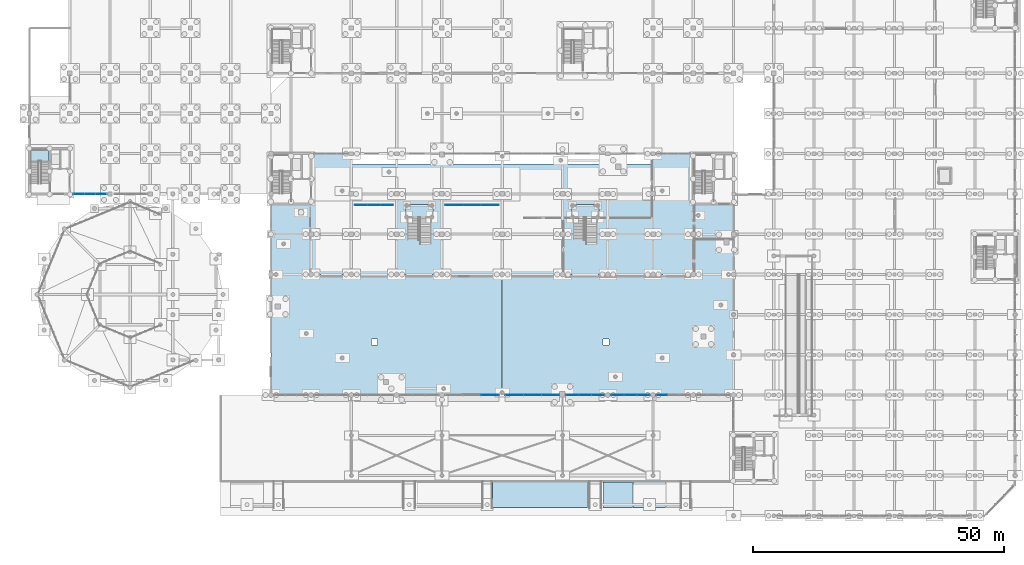
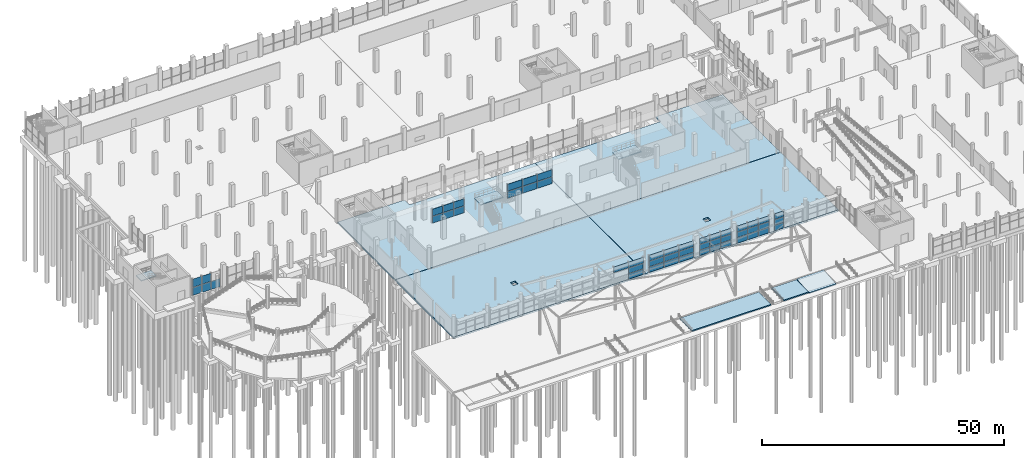
# One storey, part 65 of 98: 51 plates, 10 slabs, 11 elements without a shape of their own.
"""IFC4 building model written with IfcOpenShell, lengths in metres."""

from ifc_helpers import new_model, si_unit, derived_unit, direction, frame, origin, origin_2d, place, context, subcontext, project, spatial, polyline, rectangle, outline, extrude, material, layer, layer_set, type_object, element, aggregate, save


model = new_model("IFC4")

# Units and contexts
model_context = context("Model", 3, precision=1e-05, world=origin(), true_north=direction((0.0, 1.0)))
body_context = subcontext(model_context, "Body", "Model", "MODEL_VIEW")
ifc_project = project(units=[si_unit("LENGTHUNIT", "METRE"), si_unit("AREAUNIT", "SQUARE_METRE"), si_unit("VOLUMEUNIT", "CUBIC_METRE"), si_unit("PLANEANGLEUNIT", "RADIAN"), si_unit("MASSUNIT", "GRAM", prefix="KILO"), si_unit("THERMODYNAMICTEMPERATUREUNIT", "KELVIN"), derived_unit("THERMALTRANSMITTANCEUNIT", [(si_unit("POWERUNIT", "WATT"), 1), (si_unit("AREAUNIT", "SQUARE_METRE"), -1), (si_unit("THERMODYNAMICTEMPERATUREUNIT", "KELVIN"), -1)])], contexts=[model_context])

# Site, building, storey
site_placement = place(None, origin())
site = spatial("IfcSite", under=ifc_project, at=site_placement, CompositionType="ELEMENT")
building_placement = place(site_placement, origin())
building = spatial("IfcBuilding", under=site, at=building_placement, Name="Haiyu Intermodal Mobility Hub", CompositionType="ELEMENT")
storey_placement = place(building_placement, origin())
storey = spatial("IfcBuildingStorey", under=building, at=storey_placement, Name="L00", CompositionType="ELEMENT", Elevation=0.0)

# Curtain wall, plates
ifc_material_1 = material(Name="Low-e laminated insulating glass", Category="glass")
ifc_layer_1 = layer(ifc_material_1, 0.219970703125)
ifc_layer_set_1 = layer_set([ifc_layer_1], Name="Low-e laminated insulating glass")
curtain_wall_type_1 = type_object("IfcCurtainWallType", Name="CW-CW01", PredefinedType="NOTDEFINED", material=ifc_layer_set_1)
curtain_wall_1_placement = place(storey_placement, origin())
curtain_wall_1 = element("IfcCurtainWall", 1, at=curtain_wall_1_placement, inside=storey, type_object=curtain_wall_type_1, Name="Curtain Wall CW-V1S-L00-009", PredefinedType="NOTDEFINED")
ifc_layer_2 = layer(ifc_material_1, 0.035888671875)
ifc_layer_set_2 = layer_set([ifc_layer_2], Name="Low-e laminated insulating glass")
plate_type_1 = type_object("IfcPlateType", Name="PLT-CP01", PredefinedType="CURTAIN_PANEL", material=ifc_layer_set_2)
plate_1_placement = place(storey_placement, frame((105.56005859375, 40.0, 0.03515625), z_axis=(0.0, 0.0, 1.0), x_axis=(1.0, 0.0, 0.0)))
plate_1 = element("IfcPlate", 2, at=plate_1_placement, type_object=plate_type_1, Name="CW-V1S-L00-009-PN07", PredefinedType="CURTAIN_PANEL", context=body_context, shape_type="SweptSolid", body=[
    extrude(rectangle(XDim=3.469970703125, YDim=0.035888671875, at=origin_2d()), origin(), (0.0, 0.0, 1.0), 1.3798828125),
])
plate_2_placement = place(storey_placement, frame((105.56005859375, 40.0, 1.485107421875), z_axis=(0.0, 0.0, 1.0), x_axis=(1.0, 0.0, 0.0)))
plate_2 = element("IfcPlate", 3, at=plate_2_placement, type_object=plate_type_1, Name="CW-V1S-L00-009-PN08", PredefinedType="CURTAIN_PANEL", context=body_context, shape_type="SweptSolid", body=[
    extrude(rectangle(XDim=3.469970703125, YDim=0.035888671875, at=origin_2d()), origin(), (0.0, 0.0, 1.0), 1.3798828125),
])

curtain_wall_2_placement = place(storey_placement, origin())
curtain_wall_2 = element("IfcCurtainWall", 4, at=curtain_wall_2_placement, inside=storey, type_object=curtain_wall_type_1, Name="Curtain Wall CW-V1S-L00-011", PredefinedType="NOTDEFINED")
plate_3_placement = place(storey_placement, frame((110.43994140625, 40.0, 0.03515625), z_axis=(0.0, 0.0, 1.0), x_axis=(1.0, 0.0, 0.0)))
plate_3 = element("IfcPlate", 5, at=plate_3_placement, type_object=plate_type_1, Name="CW-V1S-L00-011-PN01", PredefinedType="CURTAIN_PANEL", context=body_context, shape_type="SweptSolid", body=[
    extrude(rectangle(XDim=3.469970703125, YDim=0.035888671875, at=origin_2d()), origin(), (0.0, 0.0, 1.0), 1.3798828125),
])
plate_4_placement = place(storey_placement, frame((110.43994140625, 40.0, 1.485107421875), z_axis=(0.0, 0.0, 1.0), x_axis=(1.0, 0.0, 0.0)))
plate_4 = element("IfcPlate", 6, at=plate_4_placement, type_object=plate_type_1, Name="CW-V1S-L00-011-PN02", PredefinedType="CURTAIN_PANEL", context=body_context, shape_type="SweptSolid", body=[
    extrude(rectangle(XDim=3.469970703125, YDim=0.035888671875, at=origin_2d()), origin(), (0.0, 0.0, 1.0), 1.3798828125),
])
plate_5_placement = place(storey_placement, frame((114.0, 40.0, 0.03515625), z_axis=(0.0, 0.0, 1.0), x_axis=(1.0, 0.0, 0.0)))
plate_5 = element("IfcPlate", 7, at=plate_5_placement, type_object=plate_type_1, Name="CW-V1S-L00-011-PN04", PredefinedType="CURTAIN_PANEL", context=body_context, shape_type="SweptSolid", body=[
    extrude(rectangle(XDim=3.469970703125, YDim=0.035888671875, at=origin_2d()), origin(), (0.0, 0.0, 1.0), 1.3798828125),
])
plate_6_placement = place(storey_placement, frame((114.0, 40.0, 1.485107421875), z_axis=(0.0, 0.0, 1.0), x_axis=(1.0, 0.0, 0.0)))
plate_6 = element("IfcPlate", 8, at=plate_6_placement, type_object=plate_type_1, Name="CW-V1S-L00-011-PN05", PredefinedType="CURTAIN_PANEL", context=body_context, shape_type="SweptSolid", body=[
    extrude(rectangle(XDim=3.469970703125, YDim=0.035888671875, at=origin_2d()), origin(), (0.0, 0.0, 1.0), 1.3798828125),
])
plate_7_placement = place(storey_placement, frame((117.56005859375, 40.0, 0.03515625), z_axis=(0.0, 0.0, 1.0), x_axis=(1.0, 0.0, 0.0)))
plate_7 = element("IfcPlate", 9, at=plate_7_placement, type_object=plate_type_1, Name="CW-V1S-L00-011-PN07", PredefinedType="CURTAIN_PANEL", context=body_context, shape_type="SweptSolid", body=[
    extrude(rectangle(XDim=3.469970703125, YDim=0.035888671875, at=origin_2d()), origin(), (0.0, 0.0, 1.0), 1.3798828125),
])
plate_8_placement = place(storey_placement, frame((117.56005859375, 40.0, 1.485107421875), z_axis=(0.0, 0.0, 1.0), x_axis=(1.0, 0.0, 0.0)))
plate_8 = element("IfcPlate", 10, at=plate_8_placement, type_object=plate_type_1, Name="CW-V1S-L00-011-PN08", PredefinedType="CURTAIN_PANEL", context=body_context, shape_type="SweptSolid", body=[
    extrude(rectangle(XDim=3.469970703125, YDim=0.035888671875, at=origin_2d()), origin(), (0.0, 0.0, 1.0), 1.3798828125),
])

curtain_wall_3_placement = place(storey_placement, origin())
curtain_wall_3 = element("IfcCurtainWall", 11, at=curtain_wall_3_placement, inside=storey, type_object=curtain_wall_type_1, Name="Curtain Wall CW-V1S-L00-013", PredefinedType="NOTDEFINED")
plate_9_placement = place(storey_placement, frame((121.93994140625, 40.0, 0.03515625), z_axis=(0.0, 0.0, 1.0), x_axis=(1.0, 0.0, 0.0)))
plate_9 = element("IfcPlate", 12, at=plate_9_placement, type_object=plate_type_1, Name="CW-V1S-L00-013-PN01", PredefinedType="CURTAIN_PANEL", context=body_context, shape_type="SweptSolid", body=[
    extrude(rectangle(XDim=2.469970703125, YDim=0.035888671875, at=origin_2d()), origin(), (0.0, 0.0, 1.0), 1.3798828125),
])
plate_10_placement = place(storey_placement, frame((121.93994140625, 40.0, 1.485107421875), z_axis=(0.0, 0.0, 1.0), x_axis=(1.0, 0.0, 0.0)))
plate_10 = element("IfcPlate", 13, at=plate_10_placement, type_object=plate_type_1, Name="CW-V1S-L00-013-PN02", PredefinedType="CURTAIN_PANEL", context=body_context, shape_type="SweptSolid", body=[
    extrude(rectangle(XDim=2.469970703125, YDim=0.035888671875, at=origin_2d()), origin(), (0.0, 0.0, 1.0), 1.3798828125),
])
plate_11_placement = place(storey_placement, frame((124.5, 40.0, 0.03515625), z_axis=(0.0, 0.0, 1.0), x_axis=(1.0, 0.0, 0.0)))
plate_11 = element("IfcPlate", 14, at=plate_11_placement, type_object=plate_type_1, Name="CW-V1S-L00-013-PN04", PredefinedType="CURTAIN_PANEL", context=body_context, shape_type="SweptSolid", body=[
    extrude(rectangle(XDim=2.469970703125, YDim=0.035888671875, at=origin_2d()), origin(), (0.0, 0.0, 1.0), 1.3798828125),
])
plate_12_placement = place(storey_placement, frame((124.5, 40.0, 1.485107421875), z_axis=(0.0, 0.0, 1.0), x_axis=(1.0, 0.0, 0.0)))
plate_12 = element("IfcPlate", 15, at=plate_12_placement, type_object=plate_type_1, Name="CW-V1S-L00-013-PN05", PredefinedType="CURTAIN_PANEL", context=body_context, shape_type="SweptSolid", body=[
    extrude(rectangle(XDim=2.469970703125, YDim=0.035888671875, at=origin_2d()), origin(), (0.0, 0.0, 1.0), 1.3798828125),
])
plate_13_placement = place(storey_placement, frame((127.06005859375, 40.0, 0.03515625), z_axis=(0.0, 0.0, 1.0), x_axis=(1.0, 0.0, 0.0)))
plate_13 = element("IfcPlate", 16, at=plate_13_placement, type_object=plate_type_1, Name="CW-V1S-L00-013-PN07", PredefinedType="CURTAIN_PANEL", context=body_context, shape_type="SweptSolid", body=[
    extrude(rectangle(XDim=2.469970703125, YDim=0.035888671875, at=origin_2d()), origin(), (0.0, 0.0, 1.0), 1.3798828125),
])
plate_14_placement = place(storey_placement, frame((127.06005859375, 40.0, 1.485107421875), z_axis=(0.0, 0.0, 1.0), x_axis=(1.0, 0.0, 0.0)))
plate_14 = element("IfcPlate", 17, at=plate_14_placement, type_object=plate_type_1, Name="CW-V1S-L00-013-PN08", PredefinedType="CURTAIN_PANEL", context=body_context, shape_type="SweptSolid", body=[
    extrude(rectangle(XDim=2.469970703125, YDim=0.035888671875, at=origin_2d()), origin(), (0.0, 0.0, 1.0), 1.3798828125),
])

curtain_wall_4_placement = place(storey_placement, origin())
curtain_wall_4 = element("IfcCurtainWall", 18, at=curtain_wall_4_placement, inside=storey, type_object=curtain_wall_type_1, Name="Curtain Wall CW-V1S-L00-015", PredefinedType="NOTDEFINED")
plate_15_placement = place(storey_placement, frame((130.93994140625, 40.0, 0.03515625), z_axis=(0.0, 0.0, 1.0), x_axis=(1.0, 0.0, 0.0)))
plate_15 = element("IfcPlate", 19, at=plate_15_placement, type_object=plate_type_1, Name="CW-V1S-L00-015-PN01", PredefinedType="CURTAIN_PANEL", context=body_context, shape_type="SweptSolid", body=[
    extrude(rectangle(XDim=2.469970703125, YDim=0.035888671875, at=origin_2d()), origin(), (0.0, 0.0, 1.0), 1.3798828125),
])
plate_16_placement = place(storey_placement, frame((130.93994140625, 40.0, 1.485107421875), z_axis=(0.0, 0.0, 1.0), x_axis=(1.0, 0.0, 0.0)))
plate_16 = element("IfcPlate", 20, at=plate_16_placement, type_object=plate_type_1, Name="CW-V1S-L00-015-PN02", PredefinedType="CURTAIN_PANEL", context=body_context, shape_type="SweptSolid", body=[
    extrude(rectangle(XDim=2.469970703125, YDim=0.035888671875, at=origin_2d()), origin(), (0.0, 0.0, 1.0), 1.3798828125),
])
plate_17_placement = place(storey_placement, frame((133.5, 40.0, 0.03515625), z_axis=(0.0, 0.0, 1.0), x_axis=(1.0, 0.0, 0.0)))
plate_17 = element("IfcPlate", 21, at=plate_17_placement, type_object=plate_type_1, Name="CW-V1S-L00-015-PN04", PredefinedType="CURTAIN_PANEL", context=body_context, shape_type="SweptSolid", body=[
    extrude(rectangle(XDim=2.469970703125, YDim=0.035888671875, at=origin_2d()), origin(), (0.0, 0.0, 1.0), 1.3798828125),
])
plate_18_placement = place(storey_placement, frame((133.5, 40.0, 1.485107421875), z_axis=(0.0, 0.0, 1.0), x_axis=(1.0, 0.0, 0.0)))
plate_18 = element("IfcPlate", 22, at=plate_18_placement, type_object=plate_type_1, Name="CW-V1S-L00-015-PN05", PredefinedType="CURTAIN_PANEL", context=body_context, shape_type="SweptSolid", body=[
    extrude(rectangle(XDim=2.469970703125, YDim=0.035888671875, at=origin_2d()), origin(), (0.0, 0.0, 1.0), 1.3798828125),
])
plate_19_placement = place(storey_placement, frame((136.06005859375, 40.0, 0.03515625), z_axis=(0.0, 0.0, 1.0), x_axis=(1.0, 0.0, 0.0)))
plate_19 = element("IfcPlate", 23, at=plate_19_placement, type_object=plate_type_1, Name="CW-V1S-L00-015-PN07", PredefinedType="CURTAIN_PANEL", context=body_context, shape_type="SweptSolid", body=[
    extrude(rectangle(XDim=2.469970703125, YDim=0.035888671875, at=origin_2d()), origin(), (0.0, 0.0, 1.0), 1.3798828125),
])
plate_20_placement = place(storey_placement, frame((136.06005859375, 40.0, 1.485107421875), z_axis=(0.0, 0.0, 1.0), x_axis=(1.0, 0.0, 0.0)))
plate_20 = element("IfcPlate", 24, at=plate_20_placement, type_object=plate_type_1, Name="CW-V1S-L00-015-PN08", PredefinedType="CURTAIN_PANEL", context=body_context, shape_type="SweptSolid", body=[
    extrude(rectangle(XDim=2.469970703125, YDim=0.035888671875, at=origin_2d()), origin(), (0.0, 0.0, 1.0), 1.3798828125),
])

curtain_wall_5_placement = place(storey_placement, origin())
curtain_wall_5 = element("IfcCurtainWall", 25, at=curtain_wall_5_placement, inside=storey, type_object=curtain_wall_type_1, Name="Curtain Wall CW-V1S-L00-017", PredefinedType="NOTDEFINED")
plate_21_placement = place(storey_placement, frame((139.77294921875, 40.0, 0.03515625), z_axis=(0.0, 0.0, 1.0), x_axis=(1.0, 0.0, 0.0)))
plate_21 = element("IfcPlate", 26, at=plate_21_placement, type_object=plate_type_1, Name="CW-V1S-L00-017-PN01", PredefinedType="CURTAIN_PANEL", context=body_context, shape_type="SweptSolid", body=[
    extrude(rectangle(XDim=2.136962890625, YDim=0.035888671875, at=origin_2d()), origin(), (0.0, 0.0, 1.0), 1.3798828125),
])
plate_22_placement = place(storey_placement, frame((139.77294921875, 40.0, 1.485107421875), z_axis=(0.0, 0.0, 1.0), x_axis=(1.0, 0.0, 0.0)))
plate_22 = element("IfcPlate", 27, at=plate_22_placement, type_object=plate_type_1, Name="CW-V1S-L00-017-PN02", PredefinedType="CURTAIN_PANEL", context=body_context, shape_type="SweptSolid", body=[
    extrude(rectangle(XDim=2.136962890625, YDim=0.035888671875, at=origin_2d()), origin(), (0.0, 0.0, 1.0), 1.3798828125),
])

curtain_wall_6_placement = place(storey_placement, origin())
curtain_wall_6 = element("IfcCurtainWall", 28, at=curtain_wall_6_placement, inside=storey, type_object=curtain_wall_type_1, Name="Curtain Wall CW-SW-L00-184", PredefinedType="NOTDEFINED")
plate_23_placement = place(storey_placement, frame((23.81298828125, 80.0, 0.03515625), z_axis=(0.0, 0.0, 1.0), x_axis=(1.0, 0.0, 0.0)))
plate_23 = element("IfcPlate", 29, at=plate_23_placement, type_object=plate_type_1, Name="CW-SW-L00-184-PN01", PredefinedType="CURTAIN_PANEL", context=body_context, shape_type="SweptSolid", body=[
    extrude(rectangle(XDim=2.096923828125, YDim=0.035888671875, at=origin_2d()), origin(), (0.0, 0.0, 1.0), 2.030029296875),
])
plate_24_placement = place(storey_placement, frame((26.0, 80.0, 0.03515625), z_axis=(0.0, 0.0, 1.0), x_axis=(1.0, 0.0, 0.0)))
plate_24 = element("IfcPlate", 30, at=plate_24_placement, type_object=plate_type_1, Name="CW-SW-L00-184-PN03", PredefinedType="CURTAIN_PANEL", context=body_context, shape_type="SweptSolid", body=[
    extrude(rectangle(XDim=2.096923828125, YDim=0.035888671875, at=origin_2d()), origin(), (0.0, 0.0, 1.0), 2.030029296875),
])
plate_25_placement = place(storey_placement, frame((28.18701171875, 80.0, 0.03515625), z_axis=(0.0, 0.0, 1.0), x_axis=(1.0, 0.0, 0.0)))
plate_25 = element("IfcPlate", 31, at=plate_25_placement, type_object=plate_type_1, Name="CW-SW-L00-184-PN05", PredefinedType="CURTAIN_PANEL", context=body_context, shape_type="SweptSolid", body=[
    extrude(rectangle(XDim=2.096923828125, YDim=0.035888671875, at=origin_2d()), origin(), (0.0, 0.0, 1.0), 2.030029296875),
])

ifc_layer_3 = layer(ifc_material_1, 0.179931640625)
ifc_layer_set_3 = layer_set([ifc_layer_3], Name="Low-e laminated insulating glass")
curtain_wall_type_2 = type_object("IfcCurtainWallType", Name="CW-CW06", PredefinedType="NOTDEFINED", material=ifc_layer_set_3)
curtain_wall_7_placement = place(storey_placement, origin())
curtain_wall_7 = element("IfcCurtainWall", 32, at=curtain_wall_7_placement, inside=storey, type_object=curtain_wall_type_2, Name="Curtain Wall CW-INT-01", PredefinedType="NOTDEFINED")
ifc_layer_4 = layer(ifc_material_1, 0.0400390625)
ifc_layer_set_4 = layer_set([ifc_layer_4], Name="Low-e laminated insulating glass")
plate_type_2 = type_object("IfcPlateType", Name="PLT-CP03-INT", PredefinedType="CURTAIN_PANEL", material=ifc_layer_set_4)
plate_26_placement = place(storey_placement, frame((79.9599609375, 77.800048828125, 0.034912109375), z_axis=(0.0, 0.0, 1.0), x_axis=(1.0, 0.0, 0.0)))
plate_26 = element("IfcPlate", 33, at=plate_26_placement, type_object=plate_type_2, Name="CW-INT-01-PN01", PredefinedType="CURTAIN_PANEL", context=body_context, shape_type="SweptSolid", body=[
    extrude(rectangle(XDim=2.449951171875, YDim=0.0400390625, at=origin_2d()), origin(), (0.0, 0.0, 1.0), 1.72998046875),
])
plate_27_placement = place(storey_placement, frame((79.9599609375, 77.800048828125, 1.8349609375), z_axis=(0.0, 0.0, 1.0), x_axis=(1.0, 0.0, 0.0)))
plate_27 = element("IfcPlate", 34, at=plate_27_placement, type_object=plate_type_2, Name="CW-INT-01-PN02", PredefinedType="CURTAIN_PANEL", context=body_context, shape_type="SweptSolid", body=[
    extrude(rectangle(XDim=2.449951171875, YDim=0.0400390625, at=origin_2d()), origin(), (0.0, 0.0, 1.0), 1.72998046875),
])
plate_28_placement = place(storey_placement, frame((82.5, 77.800048828125, 0.034912109375), z_axis=(0.0, 0.0, 1.0), x_axis=(1.0, 0.0, 0.0)))
plate_28 = element("IfcPlate", 35, at=plate_28_placement, type_object=plate_type_2, Name="CW-INT-01-PN03", PredefinedType="CURTAIN_PANEL", context=body_context, shape_type="SweptSolid", body=[
    extrude(rectangle(XDim=2.449951171875, YDim=0.0400390625, at=origin_2d()), origin(), (0.0, 0.0, 1.0), 1.72998046875),
])
plate_29_placement = place(storey_placement, frame((82.5, 77.800048828125, 1.8349609375), z_axis=(0.0, 0.0, 1.0), x_axis=(1.0, 0.0, 0.0)))
plate_29 = element("IfcPlate", 36, at=plate_29_placement, type_object=plate_type_2, Name="CW-INT-01-PN04", PredefinedType="CURTAIN_PANEL", context=body_context, shape_type="SweptSolid", body=[
    extrude(rectangle(XDim=2.449951171875, YDim=0.0400390625, at=origin_2d()), origin(), (0.0, 0.0, 1.0), 1.72998046875),
])
plate_30_placement = place(storey_placement, frame((85.0400390625, 77.800048828125, 0.034912109375), z_axis=(0.0, 0.0, 1.0), x_axis=(1.0, 0.0, 0.0)))
plate_30 = element("IfcPlate", 37, at=plate_30_placement, type_object=plate_type_2, Name="CW-INT-01-PN05", PredefinedType="CURTAIN_PANEL", context=body_context, shape_type="SweptSolid", body=[
    extrude(rectangle(XDim=2.449951171875, YDim=0.0400390625, at=origin_2d()), origin(), (0.0, 0.0, 1.0), 1.72998046875),
])
plate_31_placement = place(storey_placement, frame((85.0400390625, 77.800048828125, 1.8349609375), z_axis=(0.0, 0.0, 1.0), x_axis=(1.0, 0.0, 0.0)))
plate_31 = element("IfcPlate", 38, at=plate_31_placement, type_object=plate_type_2, Name="CW-INT-01-PN06", PredefinedType="CURTAIN_PANEL", context=body_context, shape_type="SweptSolid", body=[
    extrude(rectangle(XDim=2.449951171875, YDim=0.0400390625, at=origin_2d()), origin(), (0.0, 0.0, 1.0), 1.72998046875),
])
aggregate(curtain_wall_7, [plate_26, plate_27, plate_28, plate_29, plate_30, plate_31])

curtain_wall_8_placement = place(storey_placement, origin())
curtain_wall_8 = element("IfcCurtainWall", 39, at=curtain_wall_8_placement, inside=storey, type_object=curtain_wall_type_2, Name="Curtain Wall CW-INT-02", PredefinedType="NOTDEFINED")
plate_32_placement = place(storey_placement, frame((98.4599609375, 77.800048828125, 0.034912109375), z_axis=(0.0, 0.0, 1.0), x_axis=(1.0, 0.0, 0.0)))
plate_32 = element("IfcPlate", 40, at=plate_32_placement, type_object=plate_type_2, Name="CW-INT-02-PN01", PredefinedType="CURTAIN_PANEL", context=body_context, shape_type="SweptSolid", body=[
    extrude(rectangle(XDim=3.449951171875, YDim=0.0400390625, at=origin_2d()), origin(), (0.0, 0.0, 1.0), 1.72998046875),
])
plate_33_placement = place(storey_placement, frame((98.4599609375, 77.800048828125, 1.8349609375), z_axis=(0.0, 0.0, 1.0), x_axis=(1.0, 0.0, 0.0)))
plate_33 = element("IfcPlate", 41, at=plate_33_placement, type_object=plate_type_2, Name="CW-INT-02-PN02", PredefinedType="CURTAIN_PANEL", context=body_context, shape_type="SweptSolid", body=[
    extrude(rectangle(XDim=3.449951171875, YDim=0.0400390625, at=origin_2d()), origin(), (0.0, 0.0, 1.0), 1.72998046875),
])
plate_34_placement = place(storey_placement, frame((102.0, 77.800048828125, 0.034912109375), z_axis=(0.0, 0.0, 1.0), x_axis=(1.0, 0.0, 0.0)))
plate_34 = element("IfcPlate", 42, at=plate_34_placement, type_object=plate_type_2, Name="CW-INT-02-PN03", PredefinedType="CURTAIN_PANEL", context=body_context, shape_type="SweptSolid", body=[
    extrude(rectangle(XDim=3.449951171875, YDim=0.0400390625, at=origin_2d()), origin(), (0.0, 0.0, 1.0), 1.72998046875),
])
plate_35_placement = place(storey_placement, frame((102.0, 77.800048828125, 1.8349609375), z_axis=(0.0, 0.0, 1.0), x_axis=(1.0, 0.0, 0.0)))
plate_35 = element("IfcPlate", 43, at=plate_35_placement, type_object=plate_type_2, Name="CW-INT-02-PN04", PredefinedType="CURTAIN_PANEL", context=body_context, shape_type="SweptSolid", body=[
    extrude(rectangle(XDim=3.449951171875, YDim=0.0400390625, at=origin_2d()), origin(), (0.0, 0.0, 1.0), 1.72998046875),
])
plate_36_placement = place(storey_placement, frame((105.5400390625, 77.800048828125, 0.034912109375), z_axis=(0.0, 0.0, 1.0), x_axis=(1.0, 0.0, 0.0)))
plate_36 = element("IfcPlate", 44, at=plate_36_placement, type_object=plate_type_2, Name="CW-INT-02-PN05", PredefinedType="CURTAIN_PANEL", context=body_context, shape_type="SweptSolid", body=[
    extrude(rectangle(XDim=3.449951171875, YDim=0.0400390625, at=origin_2d()), origin(), (0.0, 0.0, 1.0), 1.72998046875),
])
plate_37_placement = place(storey_placement, frame((105.5400390625, 77.800048828125, 1.8349609375), z_axis=(0.0, 0.0, 1.0), x_axis=(1.0, 0.0, 0.0)))
plate_37 = element("IfcPlate", 45, at=plate_37_placement, type_object=plate_type_2, Name="CW-INT-02-PN06", PredefinedType="CURTAIN_PANEL", context=body_context, shape_type="SweptSolid", body=[
    extrude(rectangle(XDim=3.449951171875, YDim=0.0400390625, at=origin_2d()), origin(), (0.0, 0.0, 1.0), 1.72998046875),
])
aggregate(curtain_wall_8, [plate_32, plate_33, plate_34, plate_35, plate_36, plate_37])

# Plate
ifc_layer_5 = layer(ifc_material_1, 0.0439453125)
ifc_layer_set_5 = layer_set([ifc_layer_5], Name="Low-e laminated insulating glass")
plate_type_3 = type_object("IfcPlateType", Name="PLT-CP04", PredefinedType="CURTAIN_PANEL", material=ifc_layer_set_5)
plate_38_placement = place(storey_placement, frame((102.0, 40.0, 2.93505859375), z_axis=(0.0, 0.0, 1.0), x_axis=(1.0, 0.0, 0.0)))
plate_38 = element("IfcPlate", 46, at=plate_38_placement, type_object=plate_type_3, Name="CW-V1S-L00-009-PN06", PredefinedType="CURTAIN_PANEL", context=body_context, shape_type="SweptSolid", body=[
    extrude(rectangle(XDim=3.469970703125, YDim=0.0439453125, at=origin_2d()), origin(), (0.0, 0.0, 1.0), 1.3798828125),
])

plate_39_placement = place(storey_placement, frame((105.56005859375, 40.0, 2.93505859375), z_axis=(0.0, 0.0, 1.0), x_axis=(1.0, 0.0, 0.0)))
plate_39 = element("IfcPlate", 47, at=plate_39_placement, type_object=plate_type_3, Name="CW-V1S-L00-009-PN09", PredefinedType="CURTAIN_PANEL", context=body_context, shape_type="SweptSolid", body=[
    extrude(rectangle(XDim=3.469970703125, YDim=0.0439453125, at=origin_2d()), origin(), (0.0, 0.0, 1.0), 1.3798828125),
])

aggregate(curtain_wall_1, [plate_38, plate_1, plate_2, plate_39])

plate_40_placement = place(storey_placement, frame((110.43994140625, 40.0, 2.93505859375), z_axis=(0.0, 0.0, 1.0), x_axis=(1.0, 0.0, 0.0)))
plate_40 = element("IfcPlate", 48, at=plate_40_placement, type_object=plate_type_3, Name="CW-V1S-L00-011-PN03", PredefinedType="CURTAIN_PANEL", context=body_context, shape_type="SweptSolid", body=[
    extrude(rectangle(XDim=3.469970703125, YDim=0.0439453125, at=origin_2d()), origin(), (0.0, 0.0, 1.0), 1.3798828125),
])

plate_41_placement = place(storey_placement, frame((114.0, 40.0, 2.93505859375), z_axis=(0.0, 0.0, 1.0), x_axis=(1.0, 0.0, 0.0)))
plate_41 = element("IfcPlate", 49, at=plate_41_placement, type_object=plate_type_3, Name="CW-V1S-L00-011-PN06", PredefinedType="CURTAIN_PANEL", context=body_context, shape_type="SweptSolid", body=[
    extrude(rectangle(XDim=3.469970703125, YDim=0.0439453125, at=origin_2d()), origin(), (0.0, 0.0, 1.0), 1.3798828125),
])

plate_42_placement = place(storey_placement, frame((117.56005859375, 40.0, 2.93505859375), z_axis=(0.0, 0.0, 1.0), x_axis=(1.0, 0.0, 0.0)))
plate_42 = element("IfcPlate", 50, at=plate_42_placement, type_object=plate_type_3, Name="CW-V1S-L00-011-PN09", PredefinedType="CURTAIN_PANEL", context=body_context, shape_type="SweptSolid", body=[
    extrude(rectangle(XDim=3.469970703125, YDim=0.0439453125, at=origin_2d()), origin(), (0.0, 0.0, 1.0), 1.3798828125),
])

aggregate(curtain_wall_2, [plate_3, plate_4, plate_40, plate_5, plate_6, plate_41, plate_7, plate_8, plate_42])

plate_43_placement = place(storey_placement, frame((121.93994140625, 40.0, 2.93505859375), z_axis=(0.0, 0.0, 1.0), x_axis=(1.0, 0.0, 0.0)))
plate_43 = element("IfcPlate", 51, at=plate_43_placement, type_object=plate_type_3, Name="CW-V1S-L00-013-PN03", PredefinedType="CURTAIN_PANEL", context=body_context, shape_type="SweptSolid", body=[
    extrude(rectangle(XDim=2.469970703125, YDim=0.0439453125, at=origin_2d()), origin(), (0.0, 0.0, 1.0), 1.3798828125),
])

plate_44_placement = place(storey_placement, frame((124.5, 40.0, 2.93505859375), z_axis=(0.0, 0.0, 1.0), x_axis=(1.0, 0.0, 0.0)))
plate_44 = element("IfcPlate", 52, at=plate_44_placement, type_object=plate_type_3, Name="CW-V1S-L00-013-PN06", PredefinedType="CURTAIN_PANEL", context=body_context, shape_type="SweptSolid", body=[
    extrude(rectangle(XDim=2.469970703125, YDim=0.0439453125, at=origin_2d()), origin(), (0.0, 0.0, 1.0), 1.3798828125),
])

plate_45_placement = place(storey_placement, frame((127.06005859375, 40.0, 2.93505859375), z_axis=(0.0, 0.0, 1.0), x_axis=(1.0, 0.0, 0.0)))
plate_45 = element("IfcPlate", 53, at=plate_45_placement, type_object=plate_type_3, Name="CW-V1S-L00-013-PN09", PredefinedType="CURTAIN_PANEL", context=body_context, shape_type="SweptSolid", body=[
    extrude(rectangle(XDim=2.469970703125, YDim=0.0439453125, at=origin_2d()), origin(), (0.0, 0.0, 1.0), 1.3798828125),
])

aggregate(curtain_wall_3, [plate_9, plate_10, plate_43, plate_11, plate_12, plate_44, plate_13, plate_14, plate_45])

plate_46_placement = place(storey_placement, frame((130.93994140625, 40.0, 2.93505859375), z_axis=(0.0, 0.0, 1.0), x_axis=(1.0, 0.0, 0.0)))
plate_46 = element("IfcPlate", 54, at=plate_46_placement, type_object=plate_type_3, Name="CW-V1S-L00-015-PN03", PredefinedType="CURTAIN_PANEL", context=body_context, shape_type="SweptSolid", body=[
    extrude(rectangle(XDim=2.469970703125, YDim=0.0439453125, at=origin_2d()), origin(), (0.0, 0.0, 1.0), 1.3798828125),
])

plate_47_placement = place(storey_placement, frame((133.5, 40.0, 2.93505859375), z_axis=(0.0, 0.0, 1.0), x_axis=(1.0, 0.0, 0.0)))
plate_47 = element("IfcPlate", 55, at=plate_47_placement, type_object=plate_type_3, Name="CW-V1S-L00-015-PN06", PredefinedType="CURTAIN_PANEL", context=body_context, shape_type="SweptSolid", body=[
    extrude(rectangle(XDim=2.469970703125, YDim=0.0439453125, at=origin_2d()), origin(), (0.0, 0.0, 1.0), 1.3798828125),
])

plate_48_placement = place(storey_placement, frame((136.06005859375, 40.0, 2.93505859375), z_axis=(0.0, 0.0, 1.0), x_axis=(1.0, 0.0, 0.0)))
plate_48 = element("IfcPlate", 56, at=plate_48_placement, type_object=plate_type_3, Name="CW-V1S-L00-015-PN09", PredefinedType="CURTAIN_PANEL", context=body_context, shape_type="SweptSolid", body=[
    extrude(rectangle(XDim=2.469970703125, YDim=0.0439453125, at=origin_2d()), origin(), (0.0, 0.0, 1.0), 1.3798828125),
])

aggregate(curtain_wall_4, [plate_15, plate_16, plate_46, plate_17, plate_18, plate_47, plate_19, plate_20, plate_48])

plate_49_placement = place(storey_placement, frame((139.77294921875, 40.0, 2.93505859375), z_axis=(0.0, 0.0, 1.0), x_axis=(1.0, 0.0, 0.0)))
plate_49 = element("IfcPlate", 57, at=plate_49_placement, type_object=plate_type_3, Name="CW-V1S-L00-017-PN03", PredefinedType="CURTAIN_PANEL", context=body_context, shape_type="SweptSolid", body=[
    extrude(rectangle(XDim=2.136962890625, YDim=0.0439453125, at=origin_2d()), origin(), (0.0, 0.0, 1.0), 1.3798828125),
])

aggregate(curtain_wall_5, [plate_21, plate_22, plate_49])

plate_50_placement = place(storey_placement, frame((23.81298828125, 80.0, 2.134765625), z_axis=(0.0, 0.0, 1.0), x_axis=(1.0, 0.0, 0.0)))
plate_50 = element("IfcPlate", 58, at=plate_50_placement, type_object=plate_type_3, Name="CW-SW-L00-184-PN02", PredefinedType="CURTAIN_PANEL", context=body_context, shape_type="SweptSolid", body=[
    extrude(rectangle(XDim=2.096923828125, YDim=0.0439453125, at=origin_2d()), origin(), (0.0, 0.0, 1.0), 2.030029296875),
])

plate_51_placement = place(storey_placement, frame((26.0, 80.0, 2.134765625), z_axis=(0.0, 0.0, 1.0), x_axis=(1.0, 0.0, 0.0)))
plate_51 = element("IfcPlate", 59, at=plate_51_placement, type_object=plate_type_3, Name="CW-SW-L00-184-PN04", PredefinedType="CURTAIN_PANEL", context=body_context, shape_type="SweptSolid", body=[
    extrude(rectangle(XDim=2.096923828125, YDim=0.0439453125, at=origin_2d()), origin(), (0.0, 0.0, 1.0), 2.030029296875),
])

aggregate(curtain_wall_6, [plate_23, plate_50, plate_24, plate_51, plate_25])

# Slabs
ifc_material_2 = material(Name="Concrete C40", Category="concrete")
ifc_layer_6 = layer(ifc_material_2, 0.449951171875)
ifc_layer_set_6 = layer_set([ifc_layer_6], Name="Concrete C40")
slab_type_1 = type_object("IfcSlabType", Name="SLB-SL01", PredefinedType="BASESLAB", material=ifc_layer_set_6)
slab_1_placement = place(storey_placement, frame((0.0, 0.0, -0.449951171875)))
element("IfcSlab", 60, at=slab_1_placement, inside=storey, type_object=slab_type_1, Name="L00 Bus Boarding Deck West Slab", PredefinedType="BASESLAB", context=body_context, shape_type="SweptSolid", body=[
    extrude(outline(polyline([(62.0, 40.0), (107.97998046875, 40.0), (107.97998046875, 63.97998046875), (62.0, 63.97998046875), (62.0, 40.0)]), holes=[polyline([(82.0, 50.0), (83.199951171875, 50.0), (83.199951171875, 51.199951171875), (82.0, 51.199951171875), (82.0, 50.0)])]), origin(), (0.0, 0.0, 1.0), 0.449951171875),
])
slab_2_placement = place(storey_placement, frame((0.0, 0.0, -0.449951171875)))
element("IfcSlab", 61, at=slab_2_placement, inside=storey, type_object=slab_type_1, Name="L00 Bus & Taxi Deck East Slab", PredefinedType="BASESLAB", context=body_context, shape_type="SweptSolid", body=[
    extrude(outline(polyline([(108.02001953125, 40.0), (154.0, 40.0), (154.0, 63.97998046875), (108.02001953125, 63.97998046875), (108.02001953125, 40.0)]), holes=[polyline([(128.0, 50.0), (129.199951171875, 50.0), (129.199951171875, 51.199951171875), (128.0, 51.199951171875), (128.0, 50.0)])]), origin(), (0.0, 0.0, 1.0), 0.449951171875),
])
ifc_layer_7 = layer(ifc_material_2, 0.3798828125)
ifc_layer_set_7 = layer_set([ifc_layer_7], Name="Concrete C40")
slab_type_2 = type_object("IfcSlabType", Name="SLB-SL02", PredefinedType="BASESLAB", material=ifc_layer_set_7)
slab_3_placement = place(storey_placement, frame((0.0, 0.0, -0.3798828125)))
element("IfcSlab", 62, at=slab_3_placement, inside=storey, type_object=slab_type_2, Name="L00 Concourse Waiting West Slab", PredefinedType="BASESLAB", context=body_context, shape_type="SweptSolid", body=[
    extrude(outline(polyline([(62.0, 64.02001953125), (107.97998046875, 64.02001953125), (107.97998046875, 86.0), (78.0, 86.0), (78.0, 88.0), (62.0, 88.0), (62.0, 64.02001953125)])), origin(), (0.0, 0.0, 1.0), 0.3798828125),
])
slab_4_placement = place(storey_placement, frame((0.0, 0.0, -0.3798828125)))
element("IfcSlab", 63, at=slab_4_placement, inside=storey, type_object=slab_type_2, Name="L00 Concourse Ticketing East Slab", PredefinedType="BASESLAB", context=body_context, shape_type="SweptSolid", body=[
    extrude(outline(polyline([(108.02001953125, 64.02001953125), (154.0, 64.02001953125), (154.0, 88.0), (138.0, 88.0), (138.0, 86.0), (108.02001953125, 86.0), (108.02001953125, 64.02001953125)])), origin(), (0.0, 0.0, 1.0), 0.3798828125),
])

# Stair, slab
stair_type_1 = type_object("IfcStairType", Name="STR-ST01", PredefinedType="HALF_TURN_STAIR", material=ifc_material_2)
stair_1_placement = place(storey_placement, origin())
stair_1 = element("IfcStair", 64, at=stair_1_placement, inside=storey, type_object=stair_type_1, Name="Exit Stair ST02 L00", PredefinedType="HALF_TURN_STAIR")
ifc_layer_8 = layer(ifc_material_2, 0.2099609375)
ifc_layer_set_8 = layer_set([ifc_layer_8], Name="Concrete C40")
slab_type_3 = type_object("IfcSlabType", Name="SLB-SL13", PredefinedType="LANDING", material=ifc_layer_set_8)
slab_5_placement = place(storey_placement, frame((0.0, 0.0, 2.590087890625)))
slab_5 = element("IfcSlab", 65, at=slab_5_placement, type_object=slab_type_3, Name="Stair Half-Landing STR-C7-L00-LND", PredefinedType="LANDING", context=body_context, shape_type="SweptSolid", body=[
    extrude(outline(polyline([(14.219970703125, 86.530029296875), (17.8701171875, 86.530029296875), (17.8701171875, 88.780029296875), (14.219970703125, 88.780029296875), (14.219970703125, 86.530029296875)])), origin(), (0.0, 0.0, 1.0), 0.2099609375),
])
aggregate(stair_1, [slab_5])

stair_type_2 = type_object("IfcStairType", Name="STR-ST04", PredefinedType="STRAIGHT_RUN_STAIR", material=ifc_material_2)
stair_2_placement = place(storey_placement, origin())
stair_2 = element("IfcStair", 66, at=stair_2_placement, inside=storey, type_object=stair_type_2, Name="Concourse Feature Stair 01", PredefinedType="STRAIGHT_RUN_STAIR")
slab_6_placement = place(storey_placement, frame((0.0, 0.0, 2.580078125)))
slab_6 = element("IfcSlab", 67, at=slab_6_placement, type_object=slab_type_3, Name="STR-CONC-01-LND", PredefinedType="LANDING", context=body_context, shape_type="SweptSolid", body=[
    extrude(outline(polyline([(88.780029296875, 75.199951171875), (94.219970703125, 75.199951171875), (94.219970703125, 77.89990234375), (88.780029296875, 77.89990234375), (88.780029296875, 75.199951171875)])), origin(), (0.0, 0.0, 1.0), 0.219970703125),
])
aggregate(stair_2, [slab_6])

stair_3_placement = place(storey_placement, origin())
stair_3 = element("IfcStair", 68, at=stair_3_placement, inside=storey, type_object=stair_type_2, Name="Concourse Feature Stair 02", PredefinedType="STRAIGHT_RUN_STAIR")
slab_7_placement = place(storey_placement, frame((0.0, 0.0, 2.580078125)))
slab_7 = element("IfcSlab", 69, at=slab_7_placement, type_object=slab_type_3, Name="STR-CONC-02-LND", PredefinedType="LANDING", context=body_context, shape_type="SweptSolid", body=[
    extrude(outline(polyline([(121.780029296875, 75.199951171875), (127.219970703125, 75.199951171875), (127.219970703125, 77.89990234375), (121.780029296875, 77.89990234375), (121.780029296875, 75.199951171875)])), origin(), (0.0, 0.0, 1.0), 0.219970703125),
])
aggregate(stair_3, [slab_7])

# Slabs
ifc_layer_9 = layer(ifc_material_2, 0.18994140625)
ifc_layer_set_9 = layer_set([ifc_layer_9], Name="Concrete C40")
slab_type_4 = type_object("IfcSlabType", Name="SLB-SL15", PredefinedType="LANDING", material=ifc_layer_set_9)
slab_8_placement = place(storey_placement, frame((0.0, 0.0, -0.449951171875)))
element("IfcSlab", 70, at=slab_8_placement, inside=storey, type_object=slab_type_4, Name="Boulevard Stepped Plinth Terrace 05", PredefinedType="LANDING", context=body_context, shape_type="SweptSolid", body=[
    extrude(outline(polyline([(106.050048828125, 17.639892578125), (124.949951171875, 17.639892578125), (124.949951171875, 22.760009765625), (106.050048828125, 22.760009765625), (106.050048828125, 17.639892578125)])), origin(), (0.0, 0.0, 1.0), 0.2900390625),
])
slab_9_placement = place(storey_placement, frame((0.0, 0.0, -0.449951171875)))
element("IfcSlab", 71, at=slab_9_placement, inside=storey, type_object=slab_type_4, Name="Boulevard Stepped Plinth Terrace 06", PredefinedType="LANDING", context=body_context, shape_type="SweptSolid", body=[
    extrude(outline(polyline([(128.050048828125, 17.639892578125), (133.949951171875, 17.639892578125), (133.949951171875, 22.760009765625), (128.050048828125, 22.760009765625), (128.050048828125, 17.639892578125)])), origin(), (0.0, 0.0, 1.0), 0.2900390625),
])
ifc_layer_10 = layer(ifc_material_2, 0.280029296875)
ifc_layer_set_10 = layer_set([ifc_layer_10], Name="Concrete C40")
slab_type_5 = type_object("IfcSlabType", Name="SLB-SL16", PredefinedType="USERDEFINED", material=ifc_layer_set_10)
slab_10_placement = place(storey_placement, frame((134.0, 17.639892578125, -0.449951171875), z_axis=(0.0, -0.087541696449, 0.996160856179), x_axis=(1.0, 0.0, 0.0)))
element("IfcSlab", 72, at=slab_10_placement, inside=storey, type_object=slab_type_5, Name="Structural Boulevard Vehicle Ramp Slab VEH-S2", ObjectType="RAMP DECK", PredefinedType="USERDEFINED", context=body_context, shape_type="SweptSolid", body=[
    extrude(outline(polyline([(0.0, 0.0), (6.5, 0.0), (6.5, 5.1398498101408165), (0.0, 5.1398498101408165), (0.0, 0.0)])), origin(), (0.0, 0.0, -1.0), 0.280029296875),
])

save(model, "model.ifc")
